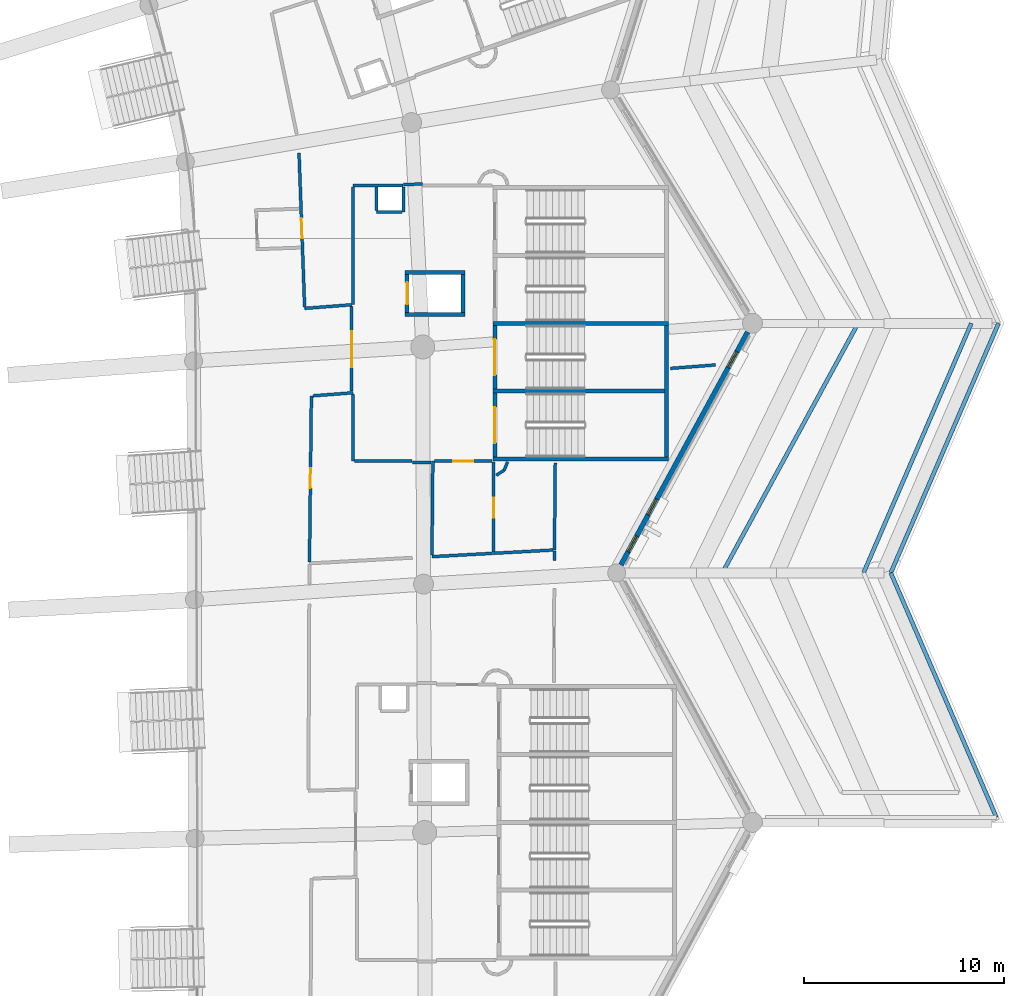
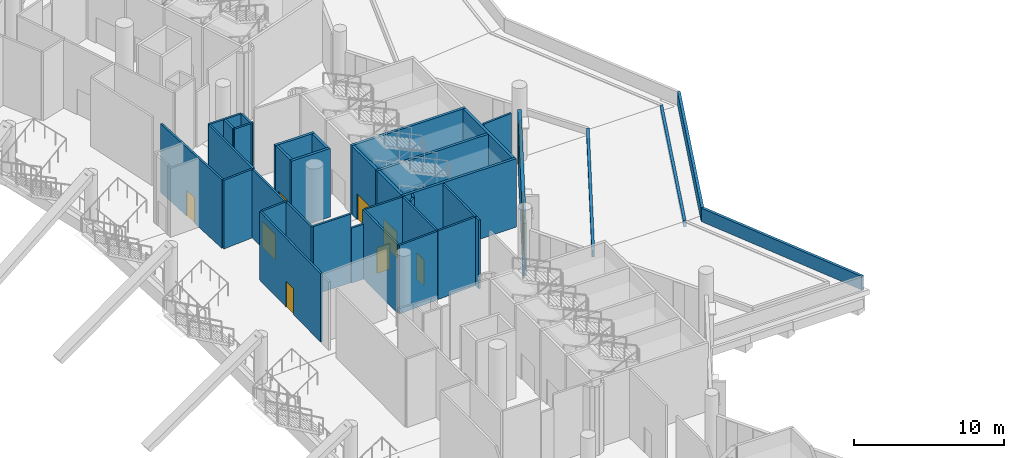
# One storey, part 72 of 173: 39 walls, 8 doors, 3 windows, 11 openings.
"""IFC4 building model written with IfcOpenShell, lengths in metres."""

from ifc_helpers import new_model, si_unit, direction, frame, frame_2d, origin, place, context, subcontext, project, spatial, rectangle, extrude, material, layer, layer_set, type_object, element, fill, save


model = new_model("IFC4")

# Units and contexts
model_context = context("Model", 3, precision=1e-05, world=origin(), true_north=direction((0.0, 1.0)))
body_context = subcontext(model_context, "Body", "Model", "MODEL_VIEW")
ifc_project = project(units=[si_unit("LENGTHUNIT", "METRE"), si_unit("AREAUNIT", "SQUARE_METRE"), si_unit("VOLUMEUNIT", "CUBIC_METRE"), si_unit("PLANEANGLEUNIT", "RADIAN"), si_unit("MASSUNIT", "GRAM", prefix="KILO")], contexts=[model_context])

# Site, building, storey
site_placement = place(None, origin())
site = spatial("IfcSite", under=ifc_project, at=site_placement, CompositionType="ELEMENT")
building_placement = place(site_placement, origin())
building = spatial("IfcBuilding", under=site, at=building_placement, Name="Meseta Stadium", CompositionType="ELEMENT")
storey_placement = place(building_placement, frame((0.0, 0.0, 18.0)))
storey = spatial("IfcBuildingStorey", under=building, at=storey_placement, Name="L03", CompositionType="ELEMENT", Elevation=18.0)

# Walls
ifc_material_1 = material(Name="Concrete C40/50", Category="concrete")
ifc_layer_1 = layer(ifc_material_1, 0.199951171875)
ifc_layer_set_1 = layer_set([ifc_layer_1], Name="Core divider wall 200")
wall_type_1 = type_object("IfcWallType", Name="Core divider wall 200", PredefinedType="SHEAR", material=ifc_layer_set_1)
wall_1_placement = place(storey_placement, frame((97.199951171875, 40.35009765625, 0.0), z_axis=(0.0, 0.0, 1.0), x_axis=(-1.0, 0.0, 0.0)))
element("IfcWall", 1, at=wall_1_placement, inside=storey, type_object=wall_type_1, Name="Core 05 L03 stair A divider wall", PredefinedType="SHEAR", context=body_context, shape_type="SweptSolid", body=[
    extrude(rectangle(XDim=8.800048828125, YDim=0.199951171875, at=frame_2d((4.39990234375, 0.0))), origin(), (0.0, 0.0, 1.0), 5.60009765625),
])
ifc_material_2 = material(Name="Concrete C40/50", Category="concrete")
ifc_layer_2 = layer(ifc_material_2, 0.199951171875)
ifc_layer_set_2 = layer_set([ifc_layer_2], Name="Core shaft wall 200")
wall_type_2 = type_object("IfcWallType", Name="Core shaft wall 200", PredefinedType="SHEAR", material=ifc_layer_set_2)
for number, where, z_axis, x_axis, name in (
    (2, (97.199951171875, 36.949951171875, 0.0), (0.0, 0.0, 1.0), (-1.0, 0.0, 0.0), "Core 05 L03 stair wall A-side"),
    (3, (97.199951171875, 43.75, 0.0), (0.0, 0.0, 1.0), (-1.0, 0.0, 0.0), "Core 05 L03 stair wall shared"),
):
    element("IfcWall", number, at=place(storey_placement, frame(where, z_axis=z_axis, x_axis=x_axis)), inside=storey, type_object=wall_type_2, Name=name, PredefinedType="SHEAR", context=body_context, shape_type="SweptSolid", body=[
        extrude(rectangle(XDim=8.800048828125, YDim=0.199951171875, at=frame_2d((4.39990234375, 0.0))), origin(), (0.0, 0.0, 1.0), 5.60009765625),
    ])
wall_2_placement = place(storey_placement, frame((97.10009765625, 37.050048828125, 0.0), z_axis=(0.0, 0.0, 1.0), x_axis=(0.0, 1.0, 0.0)))
element("IfcWall", 4, at=wall_2_placement, inside=storey, type_object=wall_type_2, Name="Core 05 L03 stair A outer end wall", PredefinedType="SHEAR", context=body_context, shape_type="SweptSolid", body=[
    extrude(rectangle(XDim=6.599853515625, YDim=0.199951171875, at=frame_2d((3.2998046875, 0.0))), origin(), (0.0, 0.0, 1.0), 5.60009765625),
])

# Wall, opening, door
wall_3_placement = place(storey_placement, frame((88.5, 37.050048828125, 0.0), z_axis=(0.0, 0.0, 1.0), x_axis=(0.0, 1.0, 0.0)))
wall_3 = element("IfcWall", 5, at=wall_3_placement, inside=storey, type_object=wall_type_2, Name="Core 05 L03 stair A1 inner end wall", PredefinedType="SHEAR", context=body_context, shape_type="SweptSolid", body=[
    extrude(rectangle(XDim=3.199951171875, YDim=0.199951171875, at=frame_2d((1.60009765625, 0.0))), origin(), (0.0, 0.0, 1.0), 5.60009765625),
])
opening_1_placement = place(wall_3_placement, frame((0.699951171875, 0.0, 0.0)))
opening_1 = element("IfcOpeningElement", 6, at=opening_1_placement, cuts=wall_3, Name="Opening D1477", PredefinedType="OPENING", context=body_context, shape_type="SweptSolid", body=[
    extrude(rectangle(XDim=1.800048828125, YDim=2.10009765625, at=frame_2d((0.89990234375, 1.050048828125))), frame((0.0, 0.10986328125, 0.0), z_axis=(0.0, -1.0, 0.0), x_axis=(1.0, 0.0, 0.0)), (0.0, 0.0, 1.0), 0.219970703125),
])
ifc_material_3 = material(Name="Steel", Category="steel")
door_type_1 = type_object("IfcDoorType", Name="Stair door 1800x2100", OperationType="DOUBLE_DOOR_SINGLE_SWING", PredefinedType="DOOR", material=ifc_material_3)
door_1_placement = place(opening_1_placement, origin())
door_1 = element("IfcDoor", 7, at=door_1_placement, inside=storey, type_object=door_type_1, Name="Stair A1 door 05 L03", OperationType="DOUBLE_DOOR_SINGLE_SWING", OverallHeight=2.10009765625, OverallWidth=1.800048828125, PredefinedType="DOOR", context=body_context, shape_type="SweptSolid", body=[
    extrude(rectangle(XDim=1.800048828125, YDim=2.10009765625, at=frame_2d((0.89990234375, 1.050048828125))), frame((0.0, 0.02490234375, 0.0), z_axis=(0.0, -1.0, 0.0), x_axis=(1.0, 0.0, 0.0)), (0.0, 0.0, 1.0), 0.050048828125),
])
fill(opening_1, door_1)

wall_4_placement = place(storey_placement, frame((88.5, 40.449951171875, 0.0), z_axis=(0.0, 0.0, 1.0), x_axis=(0.0, 1.0, 0.0)))
wall_4 = element("IfcWall", 8, at=wall_4_placement, inside=storey, type_object=wall_type_2, Name="Core 05 L03 stair A2 inner end wall", PredefinedType="SHEAR", context=body_context, shape_type="SweptSolid", body=[
    extrude(rectangle(XDim=3.199951171875, YDim=0.199951171875, at=frame_2d((1.60009765625, 0.0))), origin(), (0.0, 0.0, 1.0), 5.60009765625),
])
opening_2_placement = place(wall_4_placement, frame((0.699951171875, 0.0, 0.0)))
opening_2 = element("IfcOpeningElement", 9, at=opening_2_placement, cuts=wall_4, Name="Opening D1478", PredefinedType="OPENING", context=body_context, shape_type="SweptSolid", body=[
    extrude(rectangle(XDim=1.800048828125, YDim=2.10009765625, at=frame_2d((0.89990234375, 1.050048828125))), frame((0.0, 0.10986328125, 0.0), z_axis=(0.0, -1.0, 0.0), x_axis=(1.0, 0.0, 0.0)), (0.0, 0.0, 1.0), 0.219970703125),
])
door_2_placement = place(opening_2_placement, origin())
door_2 = element("IfcDoor", 10, at=door_2_placement, inside=storey, type_object=door_type_1, Name="Stair A2 door 05 L03", OperationType="DOUBLE_DOOR_SINGLE_SWING", OverallHeight=2.10009765625, OverallWidth=1.800048828125, PredefinedType="DOOR", context=body_context, shape_type="SweptSolid", body=[
    extrude(rectangle(XDim=1.800048828125, YDim=2.10009765625, at=frame_2d((0.89990234375, 1.050048828125))), frame((0.0, 0.02490234375, 0.0), z_axis=(0.0, -1.0, 0.0), x_axis=(1.0, 0.0, 0.0)), (0.0, 0.0, 1.0), 0.050048828125),
])
fill(opening_2, door_2)

# Walls
for number, where, z_axis, x_axis, name in (
    (11, (87.0, 44.199951171875, 0.0), (0.0, 0.0, 1.0), (-1.0, 0.0, 0.0), "Core 05 L03 lift shaft wall left"),
    (12, (87.0, 46.300048828125, 0.0), (0.0, 0.0, 1.0), (-1.0, 0.0, 0.0), "Core 05 L03 lift shaft wall right"),
):
    element("IfcWall", number, at=place(storey_placement, frame(where, z_axis=z_axis, x_axis=x_axis)), inside=storey, type_object=wall_type_2, Name=name, PredefinedType="SHEAR", context=body_context, shape_type="SweptSolid", body=[
        extrude(rectangle(XDim=3.0, YDim=0.199951171875, at=frame_2d((1.5, 0.0))), origin(), (0.0, 0.0, 1.0), 5.60009765625),
    ])
wall_5_placement = place(storey_placement, frame((86.89990234375, 44.300048828125, 0.0), z_axis=(0.0, 0.0, 1.0), x_axis=(0.0, 1.0, 0.0)))
element("IfcWall", 13, at=wall_5_placement, inside=storey, type_object=wall_type_2, Name="Core 05 L03 lift shaft back wall", PredefinedType="SHEAR", context=body_context, shape_type="SweptSolid", body=[
    extrude(rectangle(XDim=1.89990234375, YDim=0.199951171875, at=frame_2d((0.949951171875, 0.0))), origin(), (0.0, 0.0, 1.0), 5.60009765625),
])

# Wall, opening, door
wall_6_placement = place(storey_placement, frame((84.10009765625, 44.300048828125, 0.0), z_axis=(0.0, 0.0, 1.0), x_axis=(0.0, 1.0, 0.0)))
wall_6 = element("IfcWall", 14, at=wall_6_placement, inside=storey, type_object=wall_type_2, Name="Core 05 L03 lift shaft front wall", PredefinedType="SHEAR", context=body_context, shape_type="SweptSolid", body=[
    extrude(rectangle(XDim=1.89990234375, YDim=0.199951171875, at=frame_2d((0.949951171875, 0.0))), origin(), (0.0, 0.0, 1.0), 5.60009765625),
])
opening_3_placement = place(wall_6_placement, frame((0.39990234375, 0.0, 0.0)))
opening_3 = element("IfcOpeningElement", 15, at=opening_3_placement, cuts=wall_6, Name="Opening LD29", PredefinedType="OPENING", context=body_context, shape_type="SweptSolid", body=[
    extrude(rectangle(XDim=1.10009765625, YDim=2.10009765625, at=frame_2d((0.550048828125, 1.050048828125))), frame((0.0, 0.10986328125, 0.0), z_axis=(0.0, -1.0, 0.0), x_axis=(1.0, 0.0, 0.0)), (0.0, 0.0, 1.0), 0.219970703125),
])
ifc_material_4 = material(Name="Steel", Category="steel")
door_type_2 = type_object("IfcDoorType", Name="Lift landing door 1100x2100", OperationType="SLIDING_TO_LEFT", PredefinedType="DOOR", material=ifc_material_4)
door_3_placement = place(opening_3_placement, origin())
door_3 = element("IfcDoor", 16, at=door_3_placement, inside=storey, type_object=door_type_2, Name="Lift landing door LD29", OperationType="SLIDING_TO_LEFT", OverallHeight=2.10009765625, OverallWidth=1.10009765625, PredefinedType="DOOR", context=body_context, shape_type="SweptSolid", body=[
    extrude(rectangle(XDim=1.10009765625, YDim=2.10009765625, at=frame_2d((0.550048828125, 1.050048828125))), frame((0.0, 0.02490234375, 0.0), z_axis=(0.0, -1.0, 0.0), x_axis=(1.0, 0.0, 0.0)), (0.0, 0.0, 1.0), 0.050048828125),
])
fill(opening_3, door_3)

# Walls
ifc_material_5 = material(Name="Masonry blockwork", Category="masonry")
ifc_layer_3 = layer(ifc_material_5, 0.14990234375)
ifc_layer_set_3 = layer_set([ifc_layer_3], Name="Partition 150")
wall_type_3 = type_object("IfcWallType", Name="Partition 150", PredefinedType="PARTITIONING", material=ifc_layer_set_3)
wall_7_placement = place(storey_placement, frame((91.522216796875, 36.75, 0.0), z_axis=(0.0, 0.0, 1.0), x_axis=(-0.009417678532, -0.999955652682, 0.0)))
element("IfcWall", 17, at=wall_7_placement, inside=storey, type_object=wall_type_3, Name="Partition L03 L03-cell03-1-0a", PredefinedType="PARTITIONING", context=body_context, shape_type="SweptSolid", body=[
    extrude(rectangle(XDim=4.355224609375, YDim=0.14990234375, at=frame_2d((2.177734375, 0.0))), origin(), (0.0, 0.0, 1.0), 5.60009765625),
])
wall_8_placement = place(storey_placement, frame((91.40625, 32.390625, 0.0), z_axis=(0.0, 0.0, 1.0), x_axis=(-0.998501968138, -0.054715807817, 0.0)))
element("IfcWall", 18, at=wall_8_placement, inside=storey, type_object=wall_type_3, Name="Partition L03 L03-cell03-1-0a", PredefinedType="PARTITIONING", context=body_context, shape_type="SweptSolid", body=[
    extrude(rectangle(XDim=2.97607421875, YDim=0.14990234375, at=frame_2d((1.488037109375, 0.0))), origin(), (0.0, 0.0, 1.0), 5.60009765625),
])

# Wall, opening, door
wall_9_placement = place(storey_placement, frame((88.4345703125, 32.302978515625, 0.0), z_axis=(0.0, 0.0, 1.0), x_axis=(0.0, 1.0, 0.0)))
wall_9 = element("IfcWall", 19, at=wall_9_placement, inside=storey, type_object=wall_type_3, Name="Partition L03 L03-cell03-1-0a", PredefinedType="PARTITIONING", context=body_context, shape_type="SweptSolid", body=[
    extrude(rectangle(XDim=4.496826171875, YDim=0.14990234375, at=frame_2d((2.24853515625, 0.0))), origin(), (0.0, 0.0, 1.0), 5.60009765625),
])
opening_4_placement = place(wall_9_placement, frame((1.699951171875, 0.0, 0.0)))
opening_4 = element("IfcOpeningElement", 20, at=opening_4_placement, cuts=wall_9, Name="Opening D1476", PredefinedType="OPENING", context=body_context, shape_type="SweptSolid", body=[
    extrude(rectangle(XDim=1.0, YDim=2.10009765625, at=frame_2d((0.5, 1.050048828125))), frame((0.0, 0.0849609375, 0.0), z_axis=(0.0, -1.0, 0.0), x_axis=(1.0, 0.0, 0.0)), (0.0, 0.0, 1.0), 0.169921875),
])
ifc_material_6 = material(Name="Timber", Category="wood")
door_type_3 = type_object("IfcDoorType", Name="Room door 1000x2100", OperationType="NOTDEFINED", PredefinedType="DOOR", material=ifc_material_6)
door_4_placement = place(opening_4_placement, origin())
door_4 = element("IfcDoor", 21, at=door_4_placement, inside=storey, type_object=door_type_3, Name="Room door L03 L03-cell03-1-0a", OperationType="SINGLE_SWING_RIGHT", OverallHeight=2.10009765625, OverallWidth=1.0, PredefinedType="DOOR", context=body_context, shape_type="SweptSolid", body=[
    extrude(rectangle(XDim=1.0, YDim=2.10009765625, at=frame_2d((0.5, 1.050048828125))), frame((0.0, 0.02490234375, 0.0), z_axis=(0.0, -1.0, 0.0), x_axis=(1.0, 0.0, 0.0)), (0.0, 0.0, 1.0), 0.050048828125),
])
fill(opening_4, door_4)

# Walls
wall_10_placement = place(storey_placement, frame((88.384521484375, 32.22509765625, 0.0), z_axis=(0.0, 0.0, 1.0), x_axis=(-0.99850227238, -0.054710255464, 0.0)))
element("IfcWall", 22, at=wall_10_placement, inside=storey, type_object=wall_type_3, Name="Partition L03 L03-cell03-1-0b1", PredefinedType="PARTITIONING", context=body_context, shape_type="SweptSolid", body=[
    extrude(rectangle(XDim=3.04345703125, YDim=0.14990234375, at=frame_2d((1.521728515625, 0.0))), origin(), (0.0, 0.0, 1.0), 5.60009765625),
])
wall_11_placement = place(storey_placement, frame((85.346435546875, 32.133544921875, 0.0), z_axis=(0.0, 0.0, 1.0), x_axis=(0.009420359449, 0.999955627429, 0.0)))
element("IfcWall", 23, at=wall_11_placement, inside=storey, type_object=wall_type_3, Name="Partition L03 L03-cell03-1-0b1", PredefinedType="PARTITIONING", context=body_context, shape_type="SweptSolid", body=[
    extrude(rectangle(XDim=4.716796875, YDim=0.14990234375, at=frame_2d((2.3583984375, 0.0))), origin(), (0.0, 0.0, 1.0), 5.60009765625),
])

# Wall, opening, door
wall_12_placement = place(storey_placement, frame((85.4658203125, 36.85009765625, 0.0), z_axis=(0.0, 0.0, 1.0), x_axis=(1.0, 0.0, 0.0)))
wall_12 = element("IfcWall", 24, at=wall_12_placement, inside=storey, type_object=wall_type_3, Name="Partition L03 L03-cell03-1-0b1", PredefinedType="PARTITIONING", context=body_context, shape_type="SweptSolid", body=[
    extrude(rectangle(XDim=2.894287109375, YDim=0.14990234375, at=frame_2d((1.447265625, 0.0))), origin(), (0.0, 0.0, 1.0), 5.60009765625),
])
opening_5_placement = place(wall_12_placement, frame((0.949951171875, 0.0, 0.0)))
opening_5 = element("IfcOpeningElement", 25, at=opening_5_placement, cuts=wall_12, Name="Opening D1469", PredefinedType="OPENING", context=body_context, shape_type="SweptSolid", body=[
    extrude(rectangle(XDim=1.0, YDim=2.10009765625, at=frame_2d((0.5, 1.050048828125))), frame((0.0, 0.0849609375, 0.0), z_axis=(0.0, -1.0, 0.0), x_axis=(1.0, 0.0, 0.0)), (0.0, 0.0, 1.0), 0.169921875),
])
door_5_placement = place(opening_5_placement, frame((1.0, 0.0, 0.0), z_axis=(0.0, 0.0, 1.0), x_axis=(-1.0, 0.0, 0.0)))
door_5 = element("IfcDoor", 26, at=door_5_placement, inside=storey, type_object=door_type_3, Name="Room door L03 L03-cell03-1-0b1", OperationType="SINGLE_SWING_LEFT", OverallHeight=2.10009765625, OverallWidth=1.0, PredefinedType="DOOR", context=body_context, shape_type="SweptSolid", body=[
    extrude(rectangle(XDim=1.0, YDim=2.10009765625, at=frame_2d((0.5, 1.050048828125))), frame((0.0, 0.02490234375, 0.0), z_axis=(0.0, -1.0, 0.0), x_axis=(1.0, 0.0, 0.0)), (0.0, 0.0, 1.0), 0.050048828125),
])
fill(opening_5, door_5)

wall_13_placement = place(storey_placement, frame((79.210693359375, 31.79736328125, 0.0), z_axis=(0.0, 0.0, 1.0), x_axis=(0.011484716768, 0.999934048466, 0.0)))
wall_13 = element("IfcWall", 27, at=wall_13_placement, inside=storey, type_object=wall_type_3, Name="Partition L03 L03-cell03-1-0b2", PredefinedType="PARTITIONING", context=body_context, shape_type="SweptSolid", body=[
    extrude(rectangle(XDim=8.311767578125, YDim=0.14990234375, at=frame_2d((4.15576171875, 0.0))), origin(), (0.0, 0.0, 1.0), 5.60009765625),
])
opening_6_placement = place(wall_13_placement, frame((3.699951171875, 0.0, 0.0)))
opening_6 = element("IfcOpeningElement", 28, at=opening_6_placement, cuts=wall_13, Name="Opening D1452", PredefinedType="OPENING", context=body_context, shape_type="SweptSolid", body=[
    extrude(rectangle(XDim=1.0, YDim=2.10009765625, at=frame_2d((0.5, 1.050048828125))), frame((0.0, 0.0849609375, 0.0), z_axis=(0.0, -1.0, 0.0), x_axis=(1.0, 0.0, 0.0)), (0.0, 0.0, 1.0), 0.169921875),
])
door_6_placement = place(opening_6_placement, origin())
door_6 = element("IfcDoor", 29, at=door_6_placement, inside=storey, type_object=door_type_3, Name="Room door L03 L03-cell03-1-0b2", OperationType="SINGLE_SWING_RIGHT", OverallHeight=2.10009765625, OverallWidth=1.0, PredefinedType="DOOR", context=body_context, shape_type="SweptSolid", body=[
    extrude(rectangle(XDim=1.0, YDim=2.10009765625, at=frame_2d((0.5, 1.050048828125))), frame((0.0, 0.02490234375, 0.0), z_axis=(0.0, -1.0, 0.0), x_axis=(1.0, 0.0, 0.0)), (0.0, 0.0, 1.0), 0.050048828125),
])
fill(opening_6, door_6)

# Walls
wall_14_placement = place(storey_placement, frame((79.38134765625, 40.114501953125, 0.0), z_axis=(0.0, 0.0, 1.0), x_axis=(0.997072900492, 0.076456727009, 0.0)))
element("IfcWall", 30, at=wall_14_placement, inside=storey, type_object=wall_type_3, Name="Partition L03 L03-cell03-1-0b2", PredefinedType="PARTITIONING", context=body_context, shape_type="SweptSolid", body=[
    extrude(rectangle(XDim=2.0244140625, YDim=0.14990234375, at=frame_2d((1.01220703125, 0.0))), origin(), (0.0, 0.0, 1.0), 5.60009765625),
])
wall_15_placement = place(storey_placement, frame((81.39990234375, 40.194091796875, 0.0), z_axis=(0.0, 0.0, 1.0), x_axis=(0.0, -1.0, 0.0)))
element("IfcWall", 31, at=wall_15_placement, inside=storey, type_object=wall_type_3, Name="Partition L03 L03-cell03-1-0b2", PredefinedType="PARTITIONING", context=body_context, shape_type="SweptSolid", body=[
    extrude(rectangle(XDim=3.343994140625, YDim=0.14990234375, at=frame_2d((1.671875, 0.0))), origin(), (0.0, 0.0, 1.0), 5.60009765625),
])
wall_16_placement = place(storey_placement, frame((81.47509765625, 36.85009765625, 0.0), z_axis=(0.0, 0.0, 1.0), x_axis=(1.0, 0.0, 0.0)))
element("IfcWall", 32, at=wall_16_placement, inside=storey, type_object=wall_type_3, Name="Partition L03 L03-cell03-1-0b2", PredefinedType="PARTITIONING", context=body_context, shape_type="SweptSolid", body=[
    extrude(rectangle(XDim=2.880615234375, YDim=0.14990234375, at=frame_2d((1.4404296875, 0.0))), origin(), (0.0, 0.0, 1.0), 5.60009765625),
])
wall_17_placement = place(storey_placement, frame((91.48046875, 32.3447265625, 0.0), z_axis=(0.0, 0.0, 1.0), x_axis=(-0.004147190878, -0.999991400367, 0.0)))
element("IfcWall", 33, at=wall_17_placement, inside=storey, type_object=wall_type_3, Name="Partition L03 L03-cell03-1-0w", PredefinedType="PARTITIONING", context=body_context, shape_type="SweptSolid", body=[
    extrude(rectangle(XDim=0.470947265625, YDim=0.14990234375, at=frame_2d((0.2353515625, 0.0))), origin(), (0.0, 0.0, 1.0), 5.60009765625),
])
wall_18_placement = place(storey_placement, frame((97.300048828125, 41.48974609375, 0.0), z_axis=(0.0, 0.0, 1.0), x_axis=(0.99706720675, 0.076530942913, 0.0)))
element("IfcWall", 34, at=wall_18_placement, inside=storey, type_object=wall_type_3, Name="Partition L03 L03-cell03-2-0", PredefinedType="PARTITIONING", context=body_context, shape_type="SweptSolid", body=[
    extrude(rectangle(XDim=2.25537109375, YDim=0.14990234375, at=frame_2d((1.127685546875, 0.0))), origin(), (0.0, 0.0, 1.0), 5.60009765625),
])
wall_19_placement = place(storey_placement, frame((83.8857421875, 50.64990234375, 0.0), z_axis=(0.0, 0.0, 1.0), x_axis=(-1.0, 0.0, 0.0)))
element("IfcWall", 35, at=wall_19_placement, inside=storey, type_object=wall_type_3, Name="Partition L03 L03-cell04-1-0", PredefinedType="PARTITIONING", context=body_context, shape_type="SweptSolid", body=[
    extrude(rectangle(XDim=2.48583984375, YDim=0.14990234375, at=frame_2d((1.242919921875, 0.0))), origin(), (0.0, 0.0, 1.0), 5.60009765625),
])
wall_20_placement = place(storey_placement, frame((81.39990234375, 50.574951171875, 0.0), z_axis=(0.0, 0.0, 1.0), x_axis=(0.0, -1.0, 0.0)))
element("IfcWall", 36, at=wall_20_placement, inside=storey, type_object=wall_type_3, Name="Partition L03 L03-cell04-1-0", PredefinedType="PARTITIONING", context=body_context, shape_type="SweptSolid", body=[
    extrude(rectangle(XDim=5.892578125, YDim=0.14990234375, at=frame_2d((2.9462890625, 0.0))), origin(), (0.0, 0.0, 1.0), 5.60009765625),
])
wall_21_placement = place(storey_placement, frame((81.324951171875, 44.676513671875, 0.0), z_axis=(0.0, 0.0, 1.0), x_axis=(-0.997071482458, -0.076475217353, 0.0)))
element("IfcWall", 37, at=wall_21_placement, inside=storey, type_object=wall_type_3, Name="Partition L03 L03-cell04-1-0", PredefinedType="PARTITIONING", context=body_context, shape_type="SweptSolid", body=[
    extrude(rectangle(XDim=2.3623046875, YDim=0.14990234375, at=frame_2d((1.18115234375, 0.0))), origin(), (0.0, 0.0, 1.0), 5.60009765625),
])

# Wall, opening, door
wall_22_placement = place(storey_placement, frame((78.966796875, 44.57080078125, 0.0), z_axis=(0.0, 0.0, 1.0), x_axis=(-0.036322942596, 0.999340104189, 0.0)))
wall_22 = element("IfcWall", 38, at=wall_22_placement, inside=storey, type_object=wall_type_3, Name="Partition L03 L03-cell04-1-0", PredefinedType="PARTITIONING", context=body_context, shape_type="SweptSolid", body=[
    extrude(rectangle(XDim=7.70947265625, YDim=0.14990234375, at=frame_2d((3.854736328125, 0.0))), origin(), (0.0, 0.0, 1.0), 5.60009765625),
])
opening_7_placement = place(wall_22_placement, frame((3.449951171875, 0.0, 0.0)))
opening_7 = element("IfcOpeningElement", 39, at=opening_7_placement, cuts=wall_22, Name="Opening D1451", PredefinedType="OPENING", context=body_context, shape_type="SweptSolid", body=[
    extrude(rectangle(XDim=1.0, YDim=2.10009765625, at=frame_2d((0.5, 1.050048828125))), frame((0.0, 0.0849609375, 0.0), z_axis=(0.0, -1.0, 0.0), x_axis=(1.0, 0.0, 0.0)), (0.0, 0.0, 1.0), 0.169921875),
])
ifc_material_7 = material(Name="Steel", Category="steel")
door_type_4 = type_object("IfcDoorType", Name="Fire door 1000x2100 EI2 60", OperationType="NOTDEFINED", PredefinedType="DOOR", material=ifc_material_7)
door_7_placement = place(opening_7_placement, origin())
door_7 = element("IfcDoor", 40, at=door_7_placement, inside=storey, type_object=door_type_4, Name="Room door L03 L03-cell04-1-0", OperationType="SINGLE_SWING_RIGHT", OverallHeight=2.10009765625, OverallWidth=1.0, PredefinedType="DOOR", context=body_context, shape_type="SweptSolid", body=[
    extrude(rectangle(XDim=1.0, YDim=2.10009765625, at=frame_2d((0.5, 1.050048828125))), frame((0.0, 0.02490234375, 0.0), z_axis=(0.0, -1.0, 0.0), x_axis=(1.0, 0.0, 0.0)), (0.0, 0.0, 1.0), 0.050048828125),
])
fill(opening_7, door_7)

# Walls
wall_23_placement = place(storey_placement, frame((83.925048828125, 49.324951171875, 0.0), z_axis=(0.0, 0.0, 1.0), x_axis=(0.0, 1.0, 0.0)))
element("IfcWall", 41, at=wall_23_placement, inside=storey, type_object=wall_type_3, Name="Pressurisation shaft wall L03 core 05", PredefinedType="PARTITIONING", context=body_context, shape_type="SweptSolid", body=[
    extrude(rectangle(XDim=1.2490234375, YDim=0.14990234375, at=frame_2d((0.62451171875, 0.0))), origin(), (0.0, 0.0, 1.0), 5.60009765625),
])
wall_24_placement = place(storey_placement, frame((82.574951171875, 50.573974609375, 0.0), z_axis=(0.0, 0.0, 1.0), x_axis=(0.0, -1.0, 0.0)))
element("IfcWall", 42, at=wall_24_placement, inside=storey, type_object=wall_type_3, Name="Pressurisation shaft wall L03 core 05", PredefinedType="PARTITIONING", context=body_context, shape_type="SweptSolid", body=[
    extrude(rectangle(XDim=1.174072265625, YDim=0.14990234375, at=frame_2d((0.5869140625, 0.0))), origin(), (0.0, 0.0, 1.0), 5.60009765625),
])
wall_25_placement = place(storey_placement, frame((82.574951171875, 49.324951171875, 0.0), z_axis=(0.0, 0.0, 1.0), x_axis=(1.0, 0.0, 0.0)))
element("IfcWall", 43, at=wall_25_placement, inside=storey, type_object=wall_type_3, Name="Pressurisation shaft wall L03 core 05", PredefinedType="PARTITIONING", context=body_context, shape_type="SweptSolid", body=[
    extrude(rectangle(XDim=1.275146484375, YDim=0.14990234375, at=frame_2d((0.6376953125, 0.0))), origin(), (0.0, 0.0, 1.0), 5.60009765625),
])

# Wall, opening, door
wall_26_placement = place(storey_placement, frame((81.324951171875, 44.594482421875, 0.0), z_axis=(0.0, 0.0, 1.0), x_axis=(0.0, -1.0, 0.0)))
wall_26 = element("IfcWall", 44, at=wall_26_placement, inside=storey, type_object=wall_type_3, Name="Stair vestibule wall L03 core 05", PredefinedType="PARTITIONING", context=body_context, shape_type="SweptSolid", body=[
    extrude(rectangle(XDim=4.24072265625, YDim=0.14990234375, at=frame_2d((2.120361328125, 0.0))), origin(), (0.0, 0.0, 1.0), 5.60009765625),
])
opening_8_placement = place(wall_26_placement, frame((1.25, 0.0, 0.0)))
opening_8 = element("IfcOpeningElement", 45, at=opening_8_placement, cuts=wall_26, Name="Opening D1458", PredefinedType="OPENING", context=body_context, shape_type="SweptSolid", body=[
    extrude(rectangle(XDim=1.800048828125, YDim=2.10009765625, at=frame_2d((0.89990234375, 1.050048828125))), frame((0.0, 0.0849609375, 0.0), z_axis=(0.0, -1.0, 0.0), x_axis=(1.0, 0.0, 0.0)), (0.0, 0.0, 1.0), 0.169921875),
])
ifc_material_8 = material(Name="Steel", Category="steel")
door_type_5 = type_object("IfcDoorType", Name="Fire double door 1800x2100 EI2 60", OperationType="DOUBLE_DOOR_SINGLE_SWING", PredefinedType="DOOR", material=ifc_material_8)
door_8_placement = place(opening_8_placement, origin())
door_8 = element("IfcDoor", 46, at=door_8_placement, inside=storey, type_object=door_type_5, Name="Stair vestibule door L03 core 05", OperationType="DOUBLE_DOOR_SINGLE_SWING", OverallHeight=2.10009765625, OverallWidth=1.800048828125, PredefinedType="DOOR", context=body_context, shape_type="SweptSolid", body=[
    extrude(rectangle(XDim=1.800048828125, YDim=2.10009765625, at=frame_2d((0.89990234375, 1.050048828125))), frame((0.0, 0.02490234375, 0.0), z_axis=(0.0, -1.0, 0.0), x_axis=(1.0, 0.0, 0.0)), (0.0, 0.0, 1.0), 0.050048828125),
])
fill(opening_8, door_8)

# Walls
wall_27_placement = place(storey_placement, frame((84.36572265625, 36.77490234375, 0.0), z_axis=(0.0, 0.0, 1.0), x_axis=(1.0, 0.0, 0.0)))
element("IfcWall", 47, at=wall_27_placement, inside=storey, type_object=wall_type_3, Name="Stair vestibule wall L03 core 05", PredefinedType="PARTITIONING", context=body_context, shape_type="SweptSolid", body=[
    extrude(rectangle(XDim=0.940185546875, YDim=0.14990234375, at=frame_2d((0.47021484375, 0.0))), origin(), (0.0, 0.0, 1.0), 4.5),
])
wall_28_placement = place(storey_placement, frame((88.56591796875, 36.135986328125, 0.0), z_axis=(0.0, 0.0, 1.0), x_axis=(0.845155463404, 0.534520572737, 0.0)))
element("IfcWall", 48, at=wall_28_placement, inside=storey, type_object=wall_type_3, Name="Stair vestibule wall L03 core 05", PredefinedType="PARTITIONING", context=body_context, shape_type="SweptSolid", body=[
    extrude(rectangle(XDim=0.469970703125, YDim=0.14990234375, at=frame_2d((0.23486328125, 0.0))), origin(), (0.0, 0.0, 1.0), 5.60009765625),
])
wall_29_placement = place(storey_placement, frame((88.963134765625, 36.38720703125, 0.0), z_axis=(0.0, 0.0, 1.0), x_axis=(0.371761148228, 0.928328416385, 0.0)))
element("IfcWall", 49, at=wall_29_placement, inside=storey, type_object=wall_type_3, Name="Stair vestibule wall L03 core 05", PredefinedType="PARTITIONING", context=body_context, shape_type="SweptSolid", body=[
    extrude(rectangle(XDim=0.454345703125, YDim=0.14990234375, at=frame_2d((0.22705078125, 0.0))), origin(), (0.0, 0.0, 1.0), 5.60009765625),
])
wall_30_placement = place(storey_placement, frame((84.86767578125, 50.726318359375, 0.0), z_axis=(0.0, 0.0, 1.0), x_axis=(-0.999545658695, -0.030140938677, 0.0)))
element("IfcWall", 50, at=wall_30_placement, inside=storey, type_object=wall_type_3, Name="Stair vestibule wall L03 core 05", PredefinedType="PARTITIONING", context=body_context, shape_type="SweptSolid", body=[
    extrude(rectangle(XDim=0.94775390625, YDim=0.14990234375, at=frame_2d((0.473876953125, 0.0))), origin(), (0.0, 0.0, 1.0), 4.5),
])
ifc_material_9 = material(Name="Precast concrete C40/50", Category="concrete")
ifc_layer_4 = layer(ifc_material_9, 0.199951171875)
ifc_layer_set_4 = layer_set([ifc_layer_4], Name="Planter kerb 200")
wall_type_4 = type_object("IfcWallType", Name="Planter kerb 200", PredefinedType="USERDEFINED", material=ifc_layer_set_4)
wall_31_placement = place(storey_placement, frame((112.364501953125, 43.74658203125, 0.0), z_axis=(0.0, 0.0, 1.0), x_axis=(-0.396571369151, -0.918003893875, 0.0)))
element("IfcWall", 51, at=wall_31_placement, inside=storey, type_object=wall_type_4, Name="Planter kerb 1.1.2", ObjectType="PLANTER", PredefinedType="USERDEFINED", context=body_context, shape_type="SweptSolid", body=[
    extrude(rectangle(XDim=13.61279296875, YDim=0.199951171875, at=frame_2d((6.806396484375, 0.0))), origin(), (0.0, 0.0, 1.0), 0.5),
])
wall_32_placement = place(storey_placement, frame((99.8935546875, 31.25, 0.0), z_axis=(0.0, 0.0, 1.0), x_axis=(0.477867824047, 0.878431751897, 0.0)))
element("IfcWall", 52, at=wall_32_placement, inside=storey, type_object=wall_type_4, Name="Planter kerb 1.1.6", ObjectType="PLANTER", PredefinedType="USERDEFINED", context=body_context, shape_type="SweptSolid", body=[
    extrude(rectangle(XDim=14.3759765625, YDim=0.199951171875, at=frame_2d((7.18798828125, 0.0))), origin(), (0.0, 0.0, 1.0), 0.5),
])

# Wall, openings, windows
ifc_material_10 = material(Name="White precast concrete C40/50", Category="concrete")
ifc_layer_5 = layer(ifc_material_10, 0.25)
ifc_layer_set_5 = layer_set([ifc_layer_5], Name="Pleated panel wall 250")
wall_type_5 = type_object("IfcWallType", Name="Pleated panel wall 250", PredefinedType="SOLIDWALL", material=ifc_layer_set_5)
wall_33_placement = place(storey_placement, frame((101.1611328125, 43.31103515625, 0.0), z_axis=(0.0, 0.0, 1.0), x_axis=(-0.477867771117, -0.878431780691, 0.0)))
wall_33 = element("IfcWall", 53, at=wall_33_placement, inside=storey, type_object=wall_type_5, Name="Pleated facade panel L03 F07", PredefinedType="SOLIDWALL", context=body_context, shape_type="SweptSolid", body=[
    extrude(rectangle(XDim=13.2802734375, YDim=0.25, at=frame_2d((6.64013671875, 0.0))), origin(), (0.0, 0.0, 1.0), 4.300048828125),
])
opening_9_placement = place(wall_33_placement, frame((11.630126953125, 0.0, 1.0)))
opening_9 = element("IfcOpeningElement", 54, at=opening_9_placement, cuts=wall_33, Name="Opening W158", PredefinedType="OPENING", context=body_context, shape_type="SweptSolid", body=[
    extrude(rectangle(XDim=0.89990234375, YDim=3.25, at=frame_2d((0.449951171875, 1.625))), frame((0.0, 0.135009765625, 0.0), z_axis=(0.0, -1.0, 0.0), x_axis=(1.0, 0.0, 0.0)), (0.0, 0.0, 1.0), 0.27001953125),
])
opening_10_placement = place(wall_33_placement, frame((9.530029296875, 0.0, 1.0)))
opening_10 = element("IfcOpeningElement", 55, at=opening_10_placement, cuts=wall_33, Name="Opening W166", PredefinedType="OPENING", context=body_context, shape_type="SweptSolid", body=[
    extrude(rectangle(XDim=0.89990234375, YDim=3.25, at=frame_2d((0.449951171875, 1.625))), frame((0.0, 0.135009765625, 0.0), z_axis=(0.0, -1.0, 0.0), x_axis=(1.0, 0.0, 0.0)), (0.0, 0.0, 1.0), 0.27001953125),
])
opening_11_placement = place(wall_33_placement, frame((1.130126953125, 0.0, 1.0)))
opening_11 = element("IfcOpeningElement", 56, at=opening_11_placement, cuts=wall_33, Name="Opening W176", PredefinedType="OPENING", context=body_context, shape_type="SweptSolid", body=[
    extrude(rectangle(XDim=0.89990234375, YDim=3.25, at=frame_2d((0.449951171875, 1.625))), frame((0.0, 0.135009765625, 0.0), z_axis=(0.0, -1.0, 0.0), x_axis=(1.0, 0.0, 0.0)), (0.0, 0.0, 1.0), 0.27001953125),
])
ifc_material_11 = material(Name="Aluminium", Category="aluminium")
window_type = type_object("IfcWindowType", Name="Slot window 900x3250", PartitioningType="SINGLE_PANEL", PredefinedType="WINDOW", material=ifc_material_11)
window_1_placement = place(opening_9_placement, origin())
window_1 = element("IfcWindow", 57, at=window_1_placement, inside=storey, type_object=window_type, Name="Slot window L03 F07.1", OverallHeight=3.25, OverallWidth=0.89990234375, PartitioningType="SINGLE_PANEL", PredefinedType="WINDOW", context=body_context, shape_type="SweptSolid", body=[
    extrude(rectangle(XDim=0.89990234375, YDim=3.25, at=frame_2d((0.449951171875, 1.625))), frame((0.0, 0.030029296875, 0.0), z_axis=(0.0, -1.0, 0.0), x_axis=(1.0, 0.0, 0.0)), (0.0, 0.0, 1.0), 0.06005859375),
])
fill(opening_9, window_1)
window_2_placement = place(opening_10_placement, origin())
window_2 = element("IfcWindow", 58, at=window_2_placement, inside=storey, type_object=window_type, Name="Slot window L03 F07.2", OverallHeight=3.25, OverallWidth=0.89990234375, PartitioningType="SINGLE_PANEL", PredefinedType="WINDOW", context=body_context, shape_type="SweptSolid", body=[
    extrude(rectangle(XDim=0.89990234375, YDim=3.25, at=frame_2d((0.449951171875, 1.625))), frame((0.0, 0.030029296875, 0.0), z_axis=(0.0, -1.0, 0.0), x_axis=(1.0, 0.0, 0.0)), (0.0, 0.0, 1.0), 0.06005859375),
])
fill(opening_10, window_2)
window_3_placement = place(opening_11_placement, origin())
window_3 = element("IfcWindow", 59, at=window_3_placement, inside=storey, type_object=window_type, Name="Slot window L03 F07.6", OverallHeight=3.25, OverallWidth=0.89990234375, PartitioningType="SINGLE_PANEL", PredefinedType="WINDOW", context=body_context, shape_type="SweptSolid", body=[
    extrude(rectangle(XDim=0.89990234375, YDim=3.25, at=frame_2d((0.449951171875, 1.625))), frame((0.0, 0.030029296875, 0.0), z_axis=(0.0, -1.0, 0.0), x_axis=(1.0, 0.0, 0.0)), (0.0, 0.0, 1.0), 0.06005859375),
])
fill(opening_11, window_3)

# Walls
ifc_material_12 = material(Name="Concrete C40/50", Category="concrete")
ifc_layer_6 = layer(ifc_material_12, 0.199951171875)
ifc_layer_set_6 = layer_set([ifc_layer_6], Name="Roof parapet 200")
wall_type_6 = type_object("IfcWallType", Name="Roof parapet 200", PredefinedType="PARAPET", material=ifc_layer_set_6)
wall_34_placement = place(storey_placement, frame((113.727294921875, 43.74951171875, 0.0), z_axis=(0.0, 0.0, 1.0), x_axis=(-0.396568590049, -0.918005094423, 0.0)))
element("IfcWall", 60, at=wall_34_placement, inside=storey, type_object=wall_type_6, Name="Roof parapet 1.2.1", PredefinedType="PARAPET", context=body_context, shape_type="SweptSolid", body=[
    extrude(rectangle(XDim=13.615966796875, YDim=0.199951171875, at=frame_2d((6.80810546875, 0.0))), origin(), (0.0, 0.0, 1.0), 1.10009765625),
])
wall_35_placement = place(storey_placement, frame((108.32763671875, 31.25, 0.0), z_axis=(0.0, 0.0, 1.0), x_axis=(0.396576195912, -0.918001808732, 0.0)))
element("IfcWall", 61, at=wall_35_placement, inside=storey, type_object=wall_type_6, Name="Roof parapet 1.3.1", PredefinedType="PARAPET", context=body_context, shape_type="SweptSolid", body=[
    extrude(rectangle(XDim=13.34423828125, YDim=0.199951171875, at=frame_2d((6.672119140625, 0.0))), origin(), (0.0, 0.0, 1.0), 1.10009765625),
])

save(model, "model.ifc")
